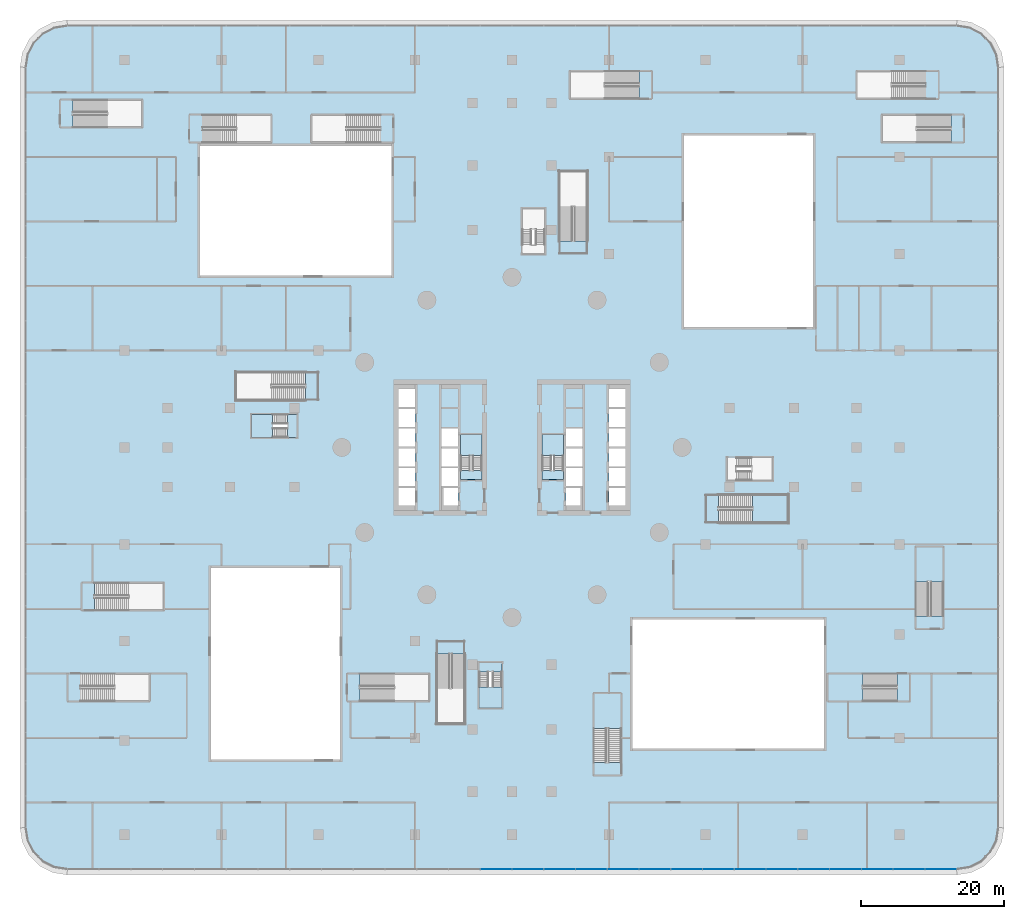
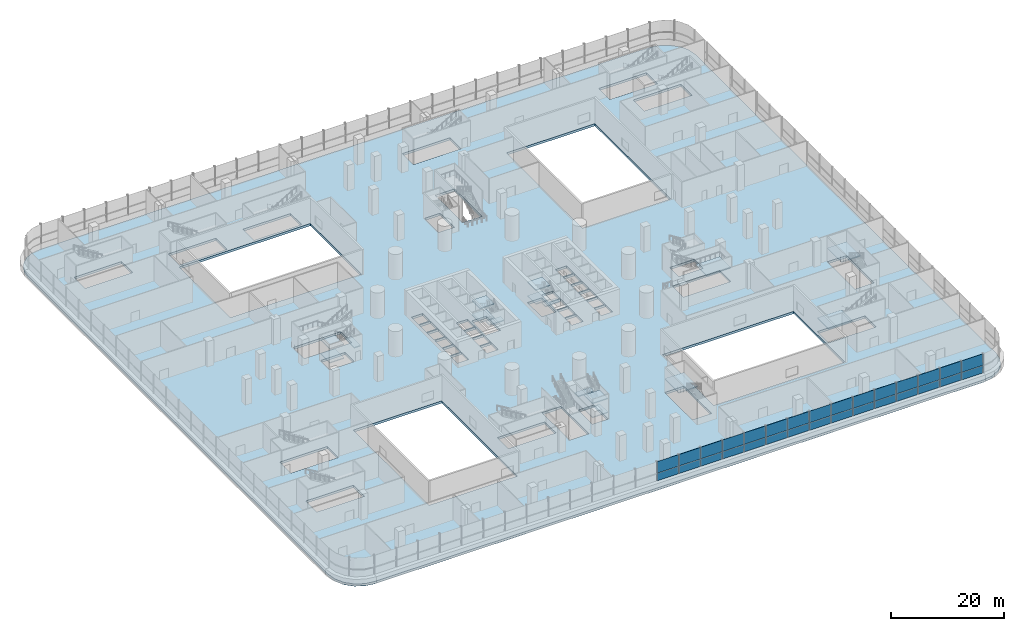
# One storey, part 24 of 52: 30 plates, 17 slabs, 9 elements without a shape of their own.
"""IFC4 building model written with IfcOpenShell, lengths in metres."""

from ifc_helpers import new_model, si_unit, direction, frame, origin, place, context, subcontext, project, spatial, polyline, outline, extrude, material, layer, layer_set, type_object, element, aggregate, save


model = new_model("IFC4")

# Units and contexts
model_context = context("Model", 3, precision=1e-05, world=origin(), true_north=direction((0.0, 1.0)))
body_context = subcontext(model_context, "Body", "Model", "MODEL_VIEW")
ifc_project = project(units=[si_unit("LENGTHUNIT", "METRE"), si_unit("AREAUNIT", "SQUARE_METRE"), si_unit("VOLUMEUNIT", "CUBIC_METRE"), si_unit("PLANEANGLEUNIT", "RADIAN"), si_unit("MASSUNIT", "GRAM", prefix="KILO")], contexts=[model_context])

# Site, building, storey
site_placement = place(None, origin())
site = spatial("IfcSite", under=ifc_project, at=site_placement, CompositionType="ELEMENT")
building_placement = place(site_placement, origin())
building = spatial("IfcBuilding", under=site, at=building_placement, Name="Tamarind Cross Interchange Tower", CompositionType="ELEMENT")
storey_placement = place(building_placement, frame((0.0, 0.0, 9.0)))
storey = spatial("IfcBuildingStorey", under=building, at=storey_placement, Name="L01", CompositionType="ELEMENT", Elevation=9.0)

# Slab
ifc_material_1 = material(Name="Concrete C40", Category="concrete")
ifc_layer_1 = layer(ifc_material_1, 0.5)
ifc_layer_set_1 = layer_set([ifc_layer_1], Name="Concrete C40")
slab_type_1 = type_object("IfcSlabType", Name="Post-tensioned flat slab 500 Concrete C40", PredefinedType="FLOOR", material=ifc_layer_set_1)
slab_1_placement = place(storey_placement, frame((0.0, 0.0, -0.5)))
element("IfcSlab", 1, at=slab_1_placement, inside=storey, type_object=slab_type_1, Name="Floor slab L01", PredefinedType="FLOOR", context=body_context, shape_type="SweptSolid", body=[
    extrude(outline(polyline([(-63.85400390625, -58.706298828125), (-62.0, -59.0), (62.0, -59.0), (63.85400390625, -58.706298828125), (65.526611328125, -57.85400390625), (66.85400390625, -56.526611328125), (67.706298828125, -54.85400390625), (68.0, -53.0), (68.0, 53.0), (67.706298828125, 54.85400390625), (66.85400390625, 56.526611328125), (65.526611328125, 57.85400390625), (63.85400390625, 58.706298828125), (62.0, 59.0), (-62.0, 59.0), (-63.85400390625, 58.706298828125), (-65.526611328125, 57.85400390625), (-66.85400390625, 56.526611328125), (-67.706298828125, 54.85400390625), (-68.0, 53.0), (-68.0, -53.0), (-67.706298828125, -54.85400390625), (-66.85400390625, -56.526611328125), (-65.526611328125, -57.85400390625), (-63.85400390625, -58.706298828125)]), holes=[polyline([(-50.5, -35.39990234375), (-60.18798828125, -35.39990234375), (-60.18798828125, -31.5), (-50.5, -31.5), (-50.5, -35.39990234375)]), polyline([(-11.5, -35.39990234375), (-21.18798828125, -35.39990234375), (-21.18798828125, -31.5), (-11.5, -31.5), (-11.5, -35.39990234375)]), polyline([(-42.0, -43.5), (-42.0, -16.800048828125), (-24.0, -16.800048828125), (-24.0, -43.5), (-42.0, -43.5)]), polyline([(-58.18798828125, -22.75), (-58.18798828125, -18.85009765625), (-48.5, -18.85009765625), (-48.5, -22.75), (-58.18798828125, -22.75)]), polyline([(-15.800048828125, -8.125), (-15.800048828125, -5.625), (-13.5, -5.625), (-13.5, -8.125), (-15.800048828125, -8.125)]), polyline([(-13.5, -5.375), (-15.800048828125, -5.375), (-15.800048828125, -2.875), (-13.5, -2.875), (-13.5, -5.375)]), polyline([(-15.800048828125, -2.625), (-15.800048828125, -0.125), (-13.5, -0.125), (-13.5, -2.625), (-15.800048828125, -2.625)]), polyline([(-15.800048828125, 0.125), (-15.800048828125, 2.625), (-13.5, 2.625), (-13.5, 0.125), (-15.800048828125, 0.125)]), polyline([(-31.31201171875, 1.39990234375), (-36.300048828125, 1.39990234375), (-36.300048828125, 4.60009765625), (-31.31201171875, 4.60009765625), (-31.31201171875, 1.39990234375)]), polyline([(-15.800048828125, 2.875), (-15.800048828125, 5.375), (-13.5, 5.375), (-13.5, 2.875), (-15.800048828125, 2.875)]), polyline([(-15.800048828125, 5.625), (-15.800048828125, 8.125), (-13.5, 8.125), (-13.5, 5.625), (-15.800048828125, 5.625)]), polyline([(-38.5, 10.5), (-28.81201171875, 10.5), (-28.81201171875, 6.60009765625), (-38.5, 6.60009765625), (-38.5, 10.5)]), polyline([(-43.5, 42.0), (-16.800048828125, 42.0), (-16.800048828125, 24.0), (-43.5, 24.0), (-43.5, 42.0)]), polyline([(-43.18798828125, 42.5), (-43.18798828125, 46.39990234375), (-33.5, 46.39990234375), (-33.5, 42.5), (-43.18798828125, 42.5)]), polyline([(-28.0, 46.39990234375), (-18.31201171875, 46.39990234375), (-18.31201171875, 42.5), (-28.0, 42.5), (-28.0, 46.39990234375)]), polyline([(-61.18798828125, 44.60009765625), (-61.18798828125, 48.5), (-51.5, 48.5), (-51.5, 44.60009765625), (-61.18798828125, 44.60009765625)]), polyline([(15.25, -43.93798828125), (11.35009765625, -43.93798828125), (11.35009765625, -34.25), (15.25, -34.25), (15.25, -43.93798828125)]), polyline([(-1.39990234375, -31.31201171875), (-1.39990234375, -36.300048828125), (-4.60009765625, -36.300048828125), (-4.60009765625, -31.31201171875), (-1.39990234375, -31.31201171875)]), polyline([(-10.5, -28.81201171875), (-6.60009765625, -28.81201171875), (-6.60009765625, -38.5), (-10.5, -38.5), (-10.5, -28.81201171875)]), polyline([(-9.800048828125, -8.125), (-9.800048828125, -5.625), (-7.5, -5.625), (-7.5, -8.125), (-9.800048828125, -8.125)]), polyline([(7.5, -5.625), (9.800048828125, -5.625), (9.800048828125, -8.125), (7.5, -8.125), (7.5, -5.625)]), polyline([(-9.800048828125, -5.375), (-9.800048828125, -2.875), (-7.5, -2.875), (-7.5, -5.375), (-9.800048828125, -5.375)]), polyline([(9.800048828125, -2.875), (9.800048828125, -5.375), (7.5, -5.375), (7.5, -2.875), (9.800048828125, -2.875)]), polyline([(-7.5, -2.625), (-9.800048828125, -2.625), (-9.800048828125, -0.125), (-7.5, -0.125), (-7.5, -2.625)]), polyline([(7.5, -0.125), (9.800048828125, -0.125), (9.800048828125, -2.625), (7.5, -2.625), (7.5, -0.125)]), polyline([(-4.199951171875, 1.800048828125), (-4.199951171875, -3.18798828125), (-7.14990234375, -3.18798828125), (-7.14990234375, 1.800048828125), (-4.199951171875, 1.800048828125)]), polyline([(7.14990234375, -3.18798828125), (4.199951171875, -3.18798828125), (4.199951171875, 1.800048828125), (7.14990234375, 1.800048828125), (7.14990234375, -3.18798828125)]), polyline([(-9.800048828125, 0.125), (-9.800048828125, 2.625), (-7.5, 2.625), (-7.5, 0.125), (-9.800048828125, 0.125)]), polyline([(7.5, 2.625), (9.800048828125, 2.625), (9.800048828125, 0.125), (7.5, 0.125), (7.5, 2.625)]), polyline([(1.39990234375, 33.300048828125), (4.60009765625, 33.300048828125), (4.60009765625, 28.31201171875), (1.39990234375, 28.31201171875), (1.39990234375, 33.300048828125)]), polyline([(10.5, 28.81201171875), (6.60009765625, 28.81201171875), (6.60009765625, 38.5), (10.5, 38.5), (10.5, 28.81201171875)]), polyline([(8.0, 52.5), (17.68798828125, 52.5), (17.68798828125, 48.60009765625), (8.0, 48.60009765625), (8.0, 52.5)]), polyline([(53.68798828125, -31.5), (53.68798828125, -35.39990234375), (44.0, -35.39990234375), (44.0, -31.5), (53.68798828125, -31.5)]), polyline([(16.800048828125, -24.0), (43.5, -24.0), (43.5, -42.0), (16.800048828125, -42.0), (16.800048828125, -24.0)]), polyline([(60.14990234375, -13.800048828125), (60.14990234375, -23.488037109375), (56.25, -23.488037109375), (56.25, -13.800048828125), (60.14990234375, -13.800048828125)]), polyline([(28.81201171875, -10.5), (28.81201171875, -6.60009765625), (38.5, -6.60009765625), (38.5, -10.5), (28.81201171875, -10.5)]), polyline([(15.800048828125, -5.625), (15.800048828125, -8.125), (13.5, -8.125), (13.5, -5.625), (15.800048828125, -5.625)]), polyline([(13.5, -2.875), (15.800048828125, -2.875), (15.800048828125, -5.375), (13.5, -5.375), (13.5, -2.875)]), polyline([(36.300048828125, -1.39990234375), (36.300048828125, -4.60009765625), (31.31201171875, -4.60009765625), (31.31201171875, -1.39990234375), (36.300048828125, -1.39990234375)]), polyline([(15.800048828125, -0.125), (15.800048828125, -2.625), (13.5, -2.625), (13.5, -0.125), (15.800048828125, -0.125)]), polyline([(13.5, 2.625), (15.800048828125, 2.625), (15.800048828125, 0.125), (13.5, 0.125), (13.5, 2.625)]), polyline([(15.800048828125, 5.375), (15.800048828125, 2.875), (13.5, 2.875), (13.5, 5.375), (15.800048828125, 5.375)]), polyline([(15.800048828125, 8.125), (15.800048828125, 5.625), (13.5, 5.625), (13.5, 8.125), (15.800048828125, 8.125)]), polyline([(24.0, 16.800048828125), (24.0, 43.5), (42.0, 43.5), (42.0, 16.800048828125), (24.0, 16.800048828125)]), polyline([(61.18798828125, 46.39990234375), (61.18798828125, 42.5), (51.5, 42.5), (51.5, 46.39990234375), (61.18798828125, 46.39990234375)]), polyline([(57.68798828125, 52.5), (57.68798828125, 48.60009765625), (48.0, 48.60009765625), (48.0, 52.5), (57.68798828125, 52.5)])]), origin(), (0.0, 0.0, 1.0), 0.5),
])

# Stair, slab
ifc_material_2 = material(Name="Public stair")
stair_type_1 = type_object("IfcStairType", Name="Public stair", PredefinedType="HALF_TURN_STAIR", material=ifc_material_2)
stair_1_placement = place(storey_placement, origin())
stair_1 = element("IfcStair", 2, at=stair_1_placement, inside=storey, type_object=stair_type_1, Name="L01 public stair PS-E", PredefinedType="HALF_TURN_STAIR")
ifc_layer_2 = layer(ifc_material_1, 0.199951171875)
ifc_layer_set_2 = layer_set([ifc_layer_2], Name="Concrete C40")
slab_type_2 = type_object("IfcSlabType", Name="Public stair landing", PredefinedType="LANDING", material=ifc_layer_set_2)
slab_2_placement = place(storey_placement, frame((0.0, 0.0, 2.800048828125)))
slab_2 = element("IfcSlab", 3, at=slab_2_placement, type_object=slab_type_2, Name="PS-E landing 1", PredefinedType="LANDING", context=body_context, shape_type="SweptSolid", body=[
    extrude(outline(polyline([(33.56005859375, -10.5), (38.5, -10.5), (38.5, -6.60009765625), (33.56005859375, -6.60009765625), (33.56005859375, -10.5)])), origin(), (0.0, 0.0, 1.0), 0.199951171875),
])
aggregate(stair_1, [slab_2])

stair_2_placement = place(storey_placement, origin())
stair_2 = element("IfcStair", 4, at=stair_2_placement, inside=storey, type_object=stair_type_1, Name="L01 exit stair XS-P10", PredefinedType="HALF_TURN_STAIR")
slab_3_placement = place(storey_placement, frame((0.0, 0.0, 2.800048828125)))
slab_3 = element("IfcSlab", 5, at=slab_3_placement, type_object=slab_type_2, Name="XS-P10 landing 1", PredefinedType="LANDING", context=body_context, shape_type="SweptSolid", body=[
    extrude(outline(polyline([(48.93994140625, -31.5), (44.0, -31.5), (44.0, -35.39990234375), (48.93994140625, -35.39990234375), (48.93994140625, -31.5)])), origin(), (0.0, 0.0, 1.0), 0.199951171875),
])
aggregate(stair_2, [slab_3])

stair_3_placement = place(storey_placement, origin())
stair_3 = element("IfcStair", 6, at=stair_3_placement, inside=storey, type_object=stair_type_1, Name="L01 exit stair XS-P11", PredefinedType="HALF_TURN_STAIR")
slab_4_placement = place(storey_placement, frame((0.0, 0.0, 2.800048828125)))
slab_4 = element("IfcSlab", 7, at=slab_4_placement, type_object=slab_type_2, Name="XS-P11 landing 1", PredefinedType="LANDING", context=body_context, shape_type="SweptSolid", body=[
    extrude(outline(polyline([(60.14990234375, -18.739990234375), (60.14990234375, -13.800048828125), (56.25, -13.800048828125), (56.25, -18.739990234375), (60.14990234375, -18.739990234375)])), origin(), (0.0, 0.0, 1.0), 0.199951171875),
])
aggregate(stair_3, [slab_4])

stair_4_placement = place(storey_placement, origin())
stair_4 = element("IfcStair", 8, at=stair_4_placement, inside=storey, type_object=stair_type_1, Name="L01 exit stair XS-P12", PredefinedType="HALF_TURN_STAIR")
slab_5_placement = place(storey_placement, frame((0.0, 0.0, 2.800048828125)))
slab_5 = element("IfcSlab", 9, at=slab_5_placement, type_object=slab_type_2, Name="XS-P12 landing 1", PredefinedType="LANDING", context=body_context, shape_type="SweptSolid", body=[
    extrude(outline(polyline([(15.25, -39.18994140625), (15.25, -34.25), (11.35009765625, -34.25), (11.35009765625, -39.18994140625), (15.25, -39.18994140625)])), origin(), (0.0, 0.0, 1.0), 0.199951171875),
])
aggregate(stair_4, [slab_5])

# Stair, slabs
ifc_material_3 = material(Name="Exit stair")
stair_type_2 = type_object("IfcStairType", Name="Exit stair", PredefinedType="HALF_TURN_STAIR", material=ifc_material_3)
stair_5_placement = place(storey_placement, origin())
stair_5 = element("IfcStair", 10, at=stair_5_placement, inside=storey, type_object=stair_type_2, Name="L01 exit stair ST1", PredefinedType="HALF_TURN_STAIR")
ifc_layer_3 = layer(ifc_material_1, 0.199951171875)
ifc_layer_set_3 = layer_set([ifc_layer_3], Name="Concrete C40")
slab_type_3 = type_object("IfcSlabType", Name="Stair landing", PredefinedType="LANDING", material=ifc_layer_set_3)
slab_6_placement = place(storey_placement, frame((0.0, 0.0, 1.300048828125)))
slab_6 = element("IfcSlab", 11, at=slab_6_placement, type_object=slab_type_3, Name="ST1 landing 1", PredefinedType="LANDING", context=body_context, shape_type="SweptSolid", body=[
    extrude(outline(polyline([(-4.199951171875, -1.1201171875), (-4.199951171875, 1.800048828125), (-7.14990234375, 1.800048828125), (-7.14990234375, -1.1201171875), (-4.199951171875, -1.1201171875)])), origin(), (0.0, 0.0, 1.0), 0.199951171875),
])
slab_7_placement = place(storey_placement, frame((0.0, 0.0, 2.800048828125)))
slab_7 = element("IfcSlab", 12, at=slab_7_placement, type_object=slab_type_3, Name="ST1 landing 2", PredefinedType="LANDING", context=body_context, shape_type="SweptSolid", body=[
    extrude(outline(polyline([(-4.199951171875, -4.5), (-4.199951171875, -3.199951171875), (-7.14990234375, -3.199951171875), (-7.14990234375, -4.5), (-4.199951171875, -4.5)])), origin(), (0.0, 0.0, 1.0), 0.199951171875),
])
slab_8_placement = place(storey_placement, frame((0.0, 0.0, 4.300048828125)))
slab_8 = element("IfcSlab", 13, at=slab_8_placement, type_object=slab_type_3, Name="ST1 landing 3", PredefinedType="LANDING", context=body_context, shape_type="SweptSolid", body=[
    extrude(outline(polyline([(-4.199951171875, -1.1201171875), (-4.199951171875, 1.800048828125), (-7.14990234375, 1.800048828125), (-7.14990234375, -1.1201171875), (-4.199951171875, -1.1201171875)])), origin(), (0.0, 0.0, 1.0), 0.199951171875),
])
aggregate(stair_5, [slab_6, slab_7, slab_8])

stair_6_placement = place(storey_placement, origin())
stair_6 = element("IfcStair", 14, at=stair_6_placement, inside=storey, type_object=stair_type_2, Name="L01 exit stair ST2", PredefinedType="HALF_TURN_STAIR")
slab_9_placement = place(storey_placement, frame((0.0, 0.0, 1.300048828125)))
slab_9 = element("IfcSlab", 15, at=slab_9_placement, type_object=slab_type_3, Name="ST2 landing 1", PredefinedType="LANDING", context=body_context, shape_type="SweptSolid", body=[
    extrude(outline(polyline([(7.14990234375, -1.1201171875), (7.14990234375, 1.800048828125), (4.199951171875, 1.800048828125), (4.199951171875, -1.1201171875), (7.14990234375, -1.1201171875)])), origin(), (0.0, 0.0, 1.0), 0.199951171875),
])
slab_10_placement = place(storey_placement, frame((0.0, 0.0, 2.800048828125)))
slab_10 = element("IfcSlab", 16, at=slab_10_placement, type_object=slab_type_3, Name="ST2 landing 2", PredefinedType="LANDING", context=body_context, shape_type="SweptSolid", body=[
    extrude(outline(polyline([(7.14990234375, -4.5), (7.14990234375, -3.199951171875), (4.199951171875, -3.199951171875), (4.199951171875, -4.5), (7.14990234375, -4.5)])), origin(), (0.0, 0.0, 1.0), 0.199951171875),
])
slab_11_placement = place(storey_placement, frame((0.0, 0.0, 4.300048828125)))
slab_11 = element("IfcSlab", 17, at=slab_11_placement, type_object=slab_type_3, Name="ST2 landing 3", PredefinedType="LANDING", context=body_context, shape_type="SweptSolid", body=[
    extrude(outline(polyline([(7.14990234375, -1.1201171875), (7.14990234375, 1.800048828125), (4.199951171875, 1.800048828125), (4.199951171875, -1.1201171875), (7.14990234375, -1.1201171875)])), origin(), (0.0, 0.0, 1.0), 0.199951171875),
])
aggregate(stair_6, [slab_9, slab_10, slab_11])

stair_7_placement = place(storey_placement, origin())
stair_7 = element("IfcStair", 18, at=stair_7_placement, inside=storey, type_object=stair_type_2, Name="L01 exit stair ST5", PredefinedType="HALF_TURN_STAIR")
slab_12_placement = place(storey_placement, frame((0.0, 0.0, 1.300048828125)))
slab_12 = element("IfcSlab", 19, at=slab_12_placement, type_object=slab_type_3, Name="ST5 landing 1", PredefinedType="LANDING", context=body_context, shape_type="SweptSolid", body=[
    extrude(outline(polyline([(-33.367919921875, 4.60009765625), (-36.300048828125, 4.60009765625), (-36.300048828125, 1.39990234375), (-33.367919921875, 1.39990234375), (-33.367919921875, 4.60009765625)])), origin(), (0.0, 0.0, 1.0), 0.199951171875),
])
slab_13_placement = place(storey_placement, frame((0.0, 0.0, 2.800048828125)))
slab_13 = element("IfcSlab", 20, at=slab_13_placement, type_object=slab_type_3, Name="ST5 landing 2", PredefinedType="LANDING", context=body_context, shape_type="SweptSolid", body=[
    extrude(outline(polyline([(-30.0, 4.60009765625), (-31.31201171875, 4.60009765625), (-31.31201171875, 1.39990234375), (-30.0, 1.39990234375), (-30.0, 4.60009765625)])), origin(), (0.0, 0.0, 1.0), 0.199951171875),
])
slab_14_placement = place(storey_placement, frame((0.0, 0.0, 4.300048828125)))
slab_14 = element("IfcSlab", 21, at=slab_14_placement, type_object=slab_type_3, Name="ST5 landing 3", PredefinedType="LANDING", context=body_context, shape_type="SweptSolid", body=[
    extrude(outline(polyline([(-33.367919921875, 4.60009765625), (-36.300048828125, 4.60009765625), (-36.300048828125, 1.39990234375), (-33.367919921875, 1.39990234375), (-33.367919921875, 4.60009765625)])), origin(), (0.0, 0.0, 1.0), 0.199951171875),
])
aggregate(stair_7, [slab_12, slab_13, slab_14])

stair_8_placement = place(storey_placement, origin())
stair_8 = element("IfcStair", 22, at=stair_8_placement, inside=storey, type_object=stair_type_2, Name="L01 exit stair ST6", PredefinedType="HALF_TURN_STAIR")
slab_15_placement = place(storey_placement, frame((0.0, 0.0, 1.300048828125)))
slab_15 = element("IfcSlab", 23, at=slab_15_placement, type_object=slab_type_3, Name="ST6 landing 1", PredefinedType="LANDING", context=body_context, shape_type="SweptSolid", body=[
    extrude(outline(polyline([(-4.60009765625, -33.367919921875), (-4.60009765625, -36.300048828125), (-1.39990234375, -36.300048828125), (-1.39990234375, -33.367919921875), (-4.60009765625, -33.367919921875)])), origin(), (0.0, 0.0, 1.0), 0.199951171875),
])
slab_16_placement = place(storey_placement, frame((0.0, 0.0, 2.800048828125)))
slab_16 = element("IfcSlab", 24, at=slab_16_placement, type_object=slab_type_3, Name="ST6 landing 2", PredefinedType="LANDING", context=body_context, shape_type="SweptSolid", body=[
    extrude(outline(polyline([(-4.60009765625, -30.0), (-4.60009765625, -31.31201171875), (-1.39990234375, -31.31201171875), (-1.39990234375, -30.0), (-4.60009765625, -30.0)])), origin(), (0.0, 0.0, 1.0), 0.199951171875),
])
slab_17_placement = place(storey_placement, frame((0.0, 0.0, 4.300048828125)))
slab_17 = element("IfcSlab", 25, at=slab_17_placement, type_object=slab_type_3, Name="ST6 landing 3", PredefinedType="LANDING", context=body_context, shape_type="SweptSolid", body=[
    extrude(outline(polyline([(-4.60009765625, -33.367919921875), (-4.60009765625, -36.300048828125), (-1.39990234375, -36.300048828125), (-1.39990234375, -33.367919921875), (-4.60009765625, -33.367919921875)])), origin(), (0.0, 0.0, 1.0), 0.199951171875),
])
aggregate(stair_8, [slab_15, slab_16, slab_17])

# Curtain wall, plates
ifc_material_4 = material(Name="Aluminium 6063-T6", Category="aluminium")
ifc_layer_4 = layer(ifc_material_4, 0.199951171875)
ifc_layer_set_4 = layer_set([ifc_layer_4], Name="Aluminium 6063-T6")
curtain_wall_type = type_object("IfcCurtainWallType", Name="Podium shopfront and station curtain wall", PredefinedType="NOTDEFINED", material=ifc_layer_set_4)
curtain_wall_placement = place(storey_placement, origin())
curtain_wall = element("IfcCurtainWall", 26, at=curtain_wall_placement, inside=storey, type_object=curtain_wall_type, Name="CWS-L01-06", PredefinedType="NOTDEFINED")
ifc_material_5 = material(Name="Toughened low-e glass 10+12+10", Category="glass")
ifc_layer_5 = layer(ifc_material_5, 0.031982421875)
ifc_layer_set_5 = layer_set([ifc_layer_5], Name="Toughened low-e glass 10+12+10")
plate_type = type_object("IfcPlateType", Name="Vision panel CW3", PredefinedType="CURTAIN_PANEL", material=ifc_layer_set_5)
plate_1_placement = place(storey_placement, frame((0.0, 0.0, 1.39990234375)))
plate_1 = element("IfcPlate", 27, at=plate_1_placement, type_object=plate_type, Name="CWP-L01-06-13-0", PredefinedType="CURTAIN_PANEL", context=body_context, shape_type="SweptSolid", body=[
    extrude(outline(polyline([(-4.387451171875, -58.783935546875), (-0.0400390625, -58.783935546875), (-0.0400390625, -58.81591796875), (-4.387451171875, -58.81591796875), (-4.387451171875, -58.783935546875)])), origin(), (0.0, 0.0, 1.0), 1.570068359375),
])
plate_2_placement = place(storey_placement, frame((0.0, 0.0, 3.030029296875)))
plate_2 = element("IfcPlate", 28, at=plate_2_placement, type_object=plate_type, Name="CWP-L01-06-13-1", PredefinedType="CURTAIN_PANEL", context=body_context, shape_type="SweptSolid", body=[
    extrude(outline(polyline([(-4.387451171875, -58.783935546875), (-0.0400390625, -58.783935546875), (-0.0400390625, -58.81591796875), (-4.387451171875, -58.81591796875), (-4.387451171875, -58.783935546875)])), origin(), (0.0, 0.0, 1.0), 2.469970703125),
])
plate_3_placement = place(storey_placement, frame((0.0, 0.0, 1.39990234375)))
plate_3 = element("IfcPlate", 29, at=plate_3_placement, type_object=plate_type, Name="CWP-L01-06-14-0", PredefinedType="CURTAIN_PANEL", context=body_context, shape_type="SweptSolid", body=[
    extrude(outline(polyline([(0.0400390625, -58.783935546875), (4.387451171875, -58.783935546875), (4.387451171875, -58.81591796875), (0.0400390625, -58.81591796875), (0.0400390625, -58.783935546875)])), origin(), (0.0, 0.0, 1.0), 1.570068359375),
])
plate_4_placement = place(storey_placement, frame((0.0, 0.0, 3.030029296875)))
plate_4 = element("IfcPlate", 30, at=plate_4_placement, type_object=plate_type, Name="CWP-L01-06-14-1", PredefinedType="CURTAIN_PANEL", context=body_context, shape_type="SweptSolid", body=[
    extrude(outline(polyline([(0.0400390625, -58.783935546875), (4.387451171875, -58.783935546875), (4.387451171875, -58.81591796875), (0.0400390625, -58.81591796875), (0.0400390625, -58.783935546875)])), origin(), (0.0, 0.0, 1.0), 2.469970703125),
])
plate_5_placement = place(storey_placement, frame((0.0, 0.0, 1.39990234375)))
plate_5 = element("IfcPlate", 31, at=plate_5_placement, type_object=plate_type, Name="CWP-L01-06-15-0", PredefinedType="CURTAIN_PANEL", context=body_context, shape_type="SweptSolid", body=[
    extrude(outline(polyline([(4.467529296875, -58.783935546875), (8.81494140625, -58.783935546875), (8.81494140625, -58.81591796875), (4.467529296875, -58.81591796875), (4.467529296875, -58.783935546875)])), origin(), (0.0, 0.0, 1.0), 1.570068359375),
])
plate_6_placement = place(storey_placement, frame((0.0, 0.0, 3.030029296875)))
plate_6 = element("IfcPlate", 32, at=plate_6_placement, type_object=plate_type, Name="CWP-L01-06-15-1", PredefinedType="CURTAIN_PANEL", context=body_context, shape_type="SweptSolid", body=[
    extrude(outline(polyline([(4.467529296875, -58.783935546875), (8.81494140625, -58.783935546875), (8.81494140625, -58.81591796875), (4.467529296875, -58.81591796875), (4.467529296875, -58.783935546875)])), origin(), (0.0, 0.0, 1.0), 2.469970703125),
])
plate_7_placement = place(storey_placement, frame((0.0, 0.0, 1.39990234375)))
plate_7 = element("IfcPlate", 33, at=plate_7_placement, type_object=plate_type, Name="CWP-L01-06-16-0", PredefinedType="CURTAIN_PANEL", context=body_context, shape_type="SweptSolid", body=[
    extrude(outline(polyline([(8.894775390625, -58.783935546875), (13.242431640625, -58.783935546875), (13.242431640625, -58.81591796875), (8.894775390625, -58.81591796875), (8.894775390625, -58.783935546875)])), origin(), (0.0, 0.0, 1.0), 1.570068359375),
])
plate_8_placement = place(storey_placement, frame((0.0, 0.0, 3.030029296875)))
plate_8 = element("IfcPlate", 34, at=plate_8_placement, type_object=plate_type, Name="CWP-L01-06-16-1", PredefinedType="CURTAIN_PANEL", context=body_context, shape_type="SweptSolid", body=[
    extrude(outline(polyline([(8.894775390625, -58.783935546875), (13.242431640625, -58.783935546875), (13.242431640625, -58.81591796875), (8.894775390625, -58.81591796875), (8.894775390625, -58.783935546875)])), origin(), (0.0, 0.0, 1.0), 2.469970703125),
])
plate_9_placement = place(storey_placement, frame((0.0, 0.0, 1.39990234375)))
plate_9 = element("IfcPlate", 35, at=plate_9_placement, type_object=plate_type, Name="CWP-L01-06-17-0", PredefinedType="CURTAIN_PANEL", context=body_context, shape_type="SweptSolid", body=[
    extrude(outline(polyline([(13.322265625, -58.783935546875), (17.669677734375, -58.783935546875), (17.669677734375, -58.81591796875), (13.322265625, -58.81591796875), (13.322265625, -58.783935546875)])), origin(), (0.0, 0.0, 1.0), 1.570068359375),
])
plate_10_placement = place(storey_placement, frame((0.0, 0.0, 3.030029296875)))
plate_10 = element("IfcPlate", 36, at=plate_10_placement, type_object=plate_type, Name="CWP-L01-06-17-1", PredefinedType="CURTAIN_PANEL", context=body_context, shape_type="SweptSolid", body=[
    extrude(outline(polyline([(13.322265625, -58.783935546875), (17.669677734375, -58.783935546875), (17.669677734375, -58.81591796875), (13.322265625, -58.81591796875), (13.322265625, -58.783935546875)])), origin(), (0.0, 0.0, 1.0), 2.469970703125),
])
plate_11_placement = place(storey_placement, frame((0.0, 0.0, 1.39990234375)))
plate_11 = element("IfcPlate", 37, at=plate_11_placement, type_object=plate_type, Name="CWP-L01-06-18-0", PredefinedType="CURTAIN_PANEL", context=body_context, shape_type="SweptSolid", body=[
    extrude(outline(polyline([(17.749755859375, -58.783935546875), (22.09716796875, -58.783935546875), (22.09716796875, -58.81591796875), (17.749755859375, -58.81591796875), (17.749755859375, -58.783935546875)])), origin(), (0.0, 0.0, 1.0), 1.570068359375),
])
plate_12_placement = place(storey_placement, frame((0.0, 0.0, 3.030029296875)))
plate_12 = element("IfcPlate", 38, at=plate_12_placement, type_object=plate_type, Name="CWP-L01-06-18-1", PredefinedType="CURTAIN_PANEL", context=body_context, shape_type="SweptSolid", body=[
    extrude(outline(polyline([(17.749755859375, -58.783935546875), (22.09716796875, -58.783935546875), (22.09716796875, -58.81591796875), (17.749755859375, -58.81591796875), (17.749755859375, -58.783935546875)])), origin(), (0.0, 0.0, 1.0), 2.469970703125),
])
plate_13_placement = place(storey_placement, frame((0.0, 0.0, 1.39990234375)))
plate_13 = element("IfcPlate", 39, at=plate_13_placement, type_object=plate_type, Name="CWP-L01-06-19-0", PredefinedType="CURTAIN_PANEL", context=body_context, shape_type="SweptSolid", body=[
    extrude(outline(polyline([(22.17724609375, -58.783935546875), (26.524658203125, -58.783935546875), (26.524658203125, -58.81591796875), (22.17724609375, -58.81591796875), (22.17724609375, -58.783935546875)])), origin(), (0.0, 0.0, 1.0), 1.570068359375),
])
plate_14_placement = place(storey_placement, frame((0.0, 0.0, 3.030029296875)))
plate_14 = element("IfcPlate", 40, at=plate_14_placement, type_object=plate_type, Name="CWP-L01-06-19-1", PredefinedType="CURTAIN_PANEL", context=body_context, shape_type="SweptSolid", body=[
    extrude(outline(polyline([(22.17724609375, -58.783935546875), (26.524658203125, -58.783935546875), (26.524658203125, -58.81591796875), (22.17724609375, -58.81591796875), (22.17724609375, -58.783935546875)])), origin(), (0.0, 0.0, 1.0), 2.469970703125),
])
plate_15_placement = place(storey_placement, frame((0.0, 0.0, 1.39990234375)))
plate_15 = element("IfcPlate", 41, at=plate_15_placement, type_object=plate_type, Name="CWP-L01-06-20-0", PredefinedType="CURTAIN_PANEL", context=body_context, shape_type="SweptSolid", body=[
    extrude(outline(polyline([(26.604736328125, -58.783935546875), (30.9521484375, -58.783935546875), (30.9521484375, -58.81591796875), (26.604736328125, -58.81591796875), (26.604736328125, -58.783935546875)])), origin(), (0.0, 0.0, 1.0), 1.570068359375),
])
plate_16_placement = place(storey_placement, frame((0.0, 0.0, 3.030029296875)))
plate_16 = element("IfcPlate", 42, at=plate_16_placement, type_object=plate_type, Name="CWP-L01-06-20-1", PredefinedType="CURTAIN_PANEL", context=body_context, shape_type="SweptSolid", body=[
    extrude(outline(polyline([(26.604736328125, -58.783935546875), (30.9521484375, -58.783935546875), (30.9521484375, -58.81591796875), (26.604736328125, -58.81591796875), (26.604736328125, -58.783935546875)])), origin(), (0.0, 0.0, 1.0), 2.469970703125),
])
plate_17_placement = place(storey_placement, frame((0.0, 0.0, 1.39990234375)))
plate_17 = element("IfcPlate", 43, at=plate_17_placement, type_object=plate_type, Name="CWP-L01-06-21-0", PredefinedType="CURTAIN_PANEL", context=body_context, shape_type="SweptSolid", body=[
    extrude(outline(polyline([(31.0322265625, -58.783935546875), (35.379638671875, -58.783935546875), (35.379638671875, -58.81591796875), (31.0322265625, -58.81591796875), (31.0322265625, -58.783935546875)])), origin(), (0.0, 0.0, 1.0), 1.570068359375),
])
plate_18_placement = place(storey_placement, frame((0.0, 0.0, 3.030029296875)))
plate_18 = element("IfcPlate", 44, at=plate_18_placement, type_object=plate_type, Name="CWP-L01-06-21-1", PredefinedType="CURTAIN_PANEL", context=body_context, shape_type="SweptSolid", body=[
    extrude(outline(polyline([(31.0322265625, -58.783935546875), (35.379638671875, -58.783935546875), (35.379638671875, -58.81591796875), (31.0322265625, -58.81591796875), (31.0322265625, -58.783935546875)])), origin(), (0.0, 0.0, 1.0), 2.469970703125),
])
plate_19_placement = place(storey_placement, frame((0.0, 0.0, 1.39990234375)))
plate_19 = element("IfcPlate", 45, at=plate_19_placement, type_object=plate_type, Name="CWP-L01-06-22-0", PredefinedType="CURTAIN_PANEL", context=body_context, shape_type="SweptSolid", body=[
    extrude(outline(polyline([(35.45947265625, -58.783935546875), (39.80712890625, -58.783935546875), (39.80712890625, -58.81591796875), (35.45947265625, -58.81591796875), (35.45947265625, -58.783935546875)])), origin(), (0.0, 0.0, 1.0), 1.570068359375),
])
plate_20_placement = place(storey_placement, frame((0.0, 0.0, 3.030029296875)))
plate_20 = element("IfcPlate", 46, at=plate_20_placement, type_object=plate_type, Name="CWP-L01-06-22-1", PredefinedType="CURTAIN_PANEL", context=body_context, shape_type="SweptSolid", body=[
    extrude(outline(polyline([(35.45947265625, -58.783935546875), (39.80712890625, -58.783935546875), (39.80712890625, -58.81591796875), (35.45947265625, -58.81591796875), (35.45947265625, -58.783935546875)])), origin(), (0.0, 0.0, 1.0), 2.469970703125),
])
plate_21_placement = place(storey_placement, frame((0.0, 0.0, 1.39990234375)))
plate_21 = element("IfcPlate", 47, at=plate_21_placement, type_object=plate_type, Name="CWP-L01-06-23-0", PredefinedType="CURTAIN_PANEL", context=body_context, shape_type="SweptSolid", body=[
    extrude(outline(polyline([(39.886962890625, -58.783935546875), (44.234375, -58.783935546875), (44.234375, -58.81591796875), (39.886962890625, -58.81591796875), (39.886962890625, -58.783935546875)])), origin(), (0.0, 0.0, 1.0), 1.570068359375),
])
plate_22_placement = place(storey_placement, frame((0.0, 0.0, 3.030029296875)))
plate_22 = element("IfcPlate", 48, at=plate_22_placement, type_object=plate_type, Name="CWP-L01-06-23-1", PredefinedType="CURTAIN_PANEL", context=body_context, shape_type="SweptSolid", body=[
    extrude(outline(polyline([(39.886962890625, -58.783935546875), (44.234375, -58.783935546875), (44.234375, -58.81591796875), (39.886962890625, -58.81591796875), (39.886962890625, -58.783935546875)])), origin(), (0.0, 0.0, 1.0), 2.469970703125),
])
plate_23_placement = place(storey_placement, frame((0.0, 0.0, 1.39990234375)))
plate_23 = element("IfcPlate", 49, at=plate_23_placement, type_object=plate_type, Name="CWP-L01-06-24-0", PredefinedType="CURTAIN_PANEL", context=body_context, shape_type="SweptSolid", body=[
    extrude(outline(polyline([(44.314453125, -58.783935546875), (48.661865234375, -58.783935546875), (48.661865234375, -58.81591796875), (44.314453125, -58.81591796875), (44.314453125, -58.783935546875)])), origin(), (0.0, 0.0, 1.0), 1.570068359375),
])
plate_24_placement = place(storey_placement, frame((0.0, 0.0, 3.030029296875)))
plate_24 = element("IfcPlate", 50, at=plate_24_placement, type_object=plate_type, Name="CWP-L01-06-24-1", PredefinedType="CURTAIN_PANEL", context=body_context, shape_type="SweptSolid", body=[
    extrude(outline(polyline([(44.314453125, -58.783935546875), (48.661865234375, -58.783935546875), (48.661865234375, -58.81591796875), (44.314453125, -58.81591796875), (44.314453125, -58.783935546875)])), origin(), (0.0, 0.0, 1.0), 2.469970703125),
])
plate_25_placement = place(storey_placement, frame((0.0, 0.0, 1.39990234375)))
plate_25 = element("IfcPlate", 51, at=plate_25_placement, type_object=plate_type, Name="CWP-L01-06-25-0", PredefinedType="CURTAIN_PANEL", context=body_context, shape_type="SweptSolid", body=[
    extrude(outline(polyline([(48.741943359375, -58.783935546875), (53.08935546875, -58.783935546875), (53.08935546875, -58.81591796875), (48.741943359375, -58.81591796875), (48.741943359375, -58.783935546875)])), origin(), (0.0, 0.0, 1.0), 1.570068359375),
])
plate_26_placement = place(storey_placement, frame((0.0, 0.0, 3.030029296875)))
plate_26 = element("IfcPlate", 52, at=plate_26_placement, type_object=plate_type, Name="CWP-L01-06-25-1", PredefinedType="CURTAIN_PANEL", context=body_context, shape_type="SweptSolid", body=[
    extrude(outline(polyline([(48.741943359375, -58.783935546875), (53.08935546875, -58.783935546875), (53.08935546875, -58.81591796875), (48.741943359375, -58.81591796875), (48.741943359375, -58.783935546875)])), origin(), (0.0, 0.0, 1.0), 2.469970703125),
])
plate_27_placement = place(storey_placement, frame((0.0, 0.0, 1.39990234375)))
plate_27 = element("IfcPlate", 53, at=plate_27_placement, type_object=plate_type, Name="CWP-L01-06-26-0", PredefinedType="CURTAIN_PANEL", context=body_context, shape_type="SweptSolid", body=[
    extrude(outline(polyline([(53.16943359375, -58.783935546875), (57.516845703125, -58.783935546875), (57.516845703125, -58.81591796875), (53.16943359375, -58.81591796875), (53.16943359375, -58.783935546875)])), origin(), (0.0, 0.0, 1.0), 1.570068359375),
])
plate_28_placement = place(storey_placement, frame((0.0, 0.0, 3.030029296875)))
plate_28 = element("IfcPlate", 54, at=plate_28_placement, type_object=plate_type, Name="CWP-L01-06-26-1", PredefinedType="CURTAIN_PANEL", context=body_context, shape_type="SweptSolid", body=[
    extrude(outline(polyline([(53.16943359375, -58.783935546875), (57.516845703125, -58.783935546875), (57.516845703125, -58.81591796875), (53.16943359375, -58.81591796875), (53.16943359375, -58.783935546875)])), origin(), (0.0, 0.0, 1.0), 2.469970703125),
])
plate_29_placement = place(storey_placement, frame((0.0, 0.0, 1.39990234375)))
plate_29 = element("IfcPlate", 55, at=plate_29_placement, type_object=plate_type, Name="CWP-L01-06-27-0", PredefinedType="CURTAIN_PANEL", context=body_context, shape_type="SweptSolid", body=[
    extrude(outline(polyline([(57.596923828125, -58.783935546875), (61.9443359375, -58.783935546875), (61.9443359375, -58.81591796875), (57.596923828125, -58.81591796875), (57.596923828125, -58.783935546875)])), origin(), (0.0, 0.0, 1.0), 1.570068359375),
])
plate_30_placement = place(storey_placement, frame((0.0, 0.0, 3.030029296875)))
plate_30 = element("IfcPlate", 56, at=plate_30_placement, type_object=plate_type, Name="CWP-L01-06-27-1", PredefinedType="CURTAIN_PANEL", context=body_context, shape_type="SweptSolid", body=[
    extrude(outline(polyline([(57.596923828125, -58.783935546875), (61.9443359375, -58.783935546875), (61.9443359375, -58.81591796875), (57.596923828125, -58.81591796875), (57.596923828125, -58.783935546875)])), origin(), (0.0, 0.0, 1.0), 2.469970703125),
])
aggregate(curtain_wall, [plate_1, plate_2, plate_3, plate_4, plate_5, plate_6, plate_7, plate_8, plate_9, plate_10, plate_11, plate_12, plate_13, plate_14, plate_15, plate_16, plate_17, plate_18, plate_19, plate_20, plate_21, plate_22, plate_23, plate_24, plate_25, plate_26, plate_27, plate_28, plate_29, plate_30])

save(model, "model.ifc")
